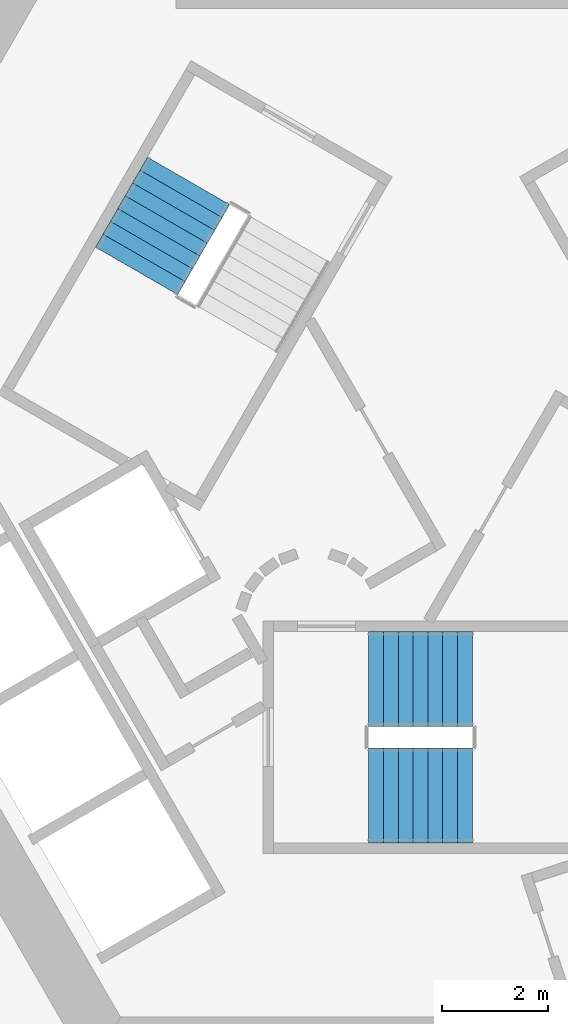
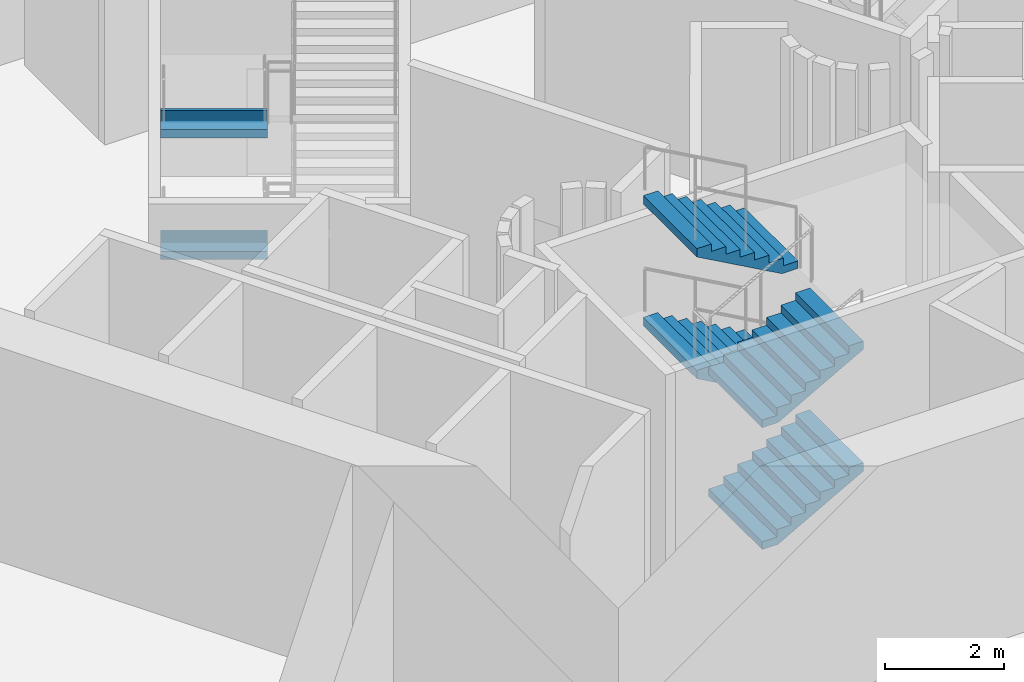
# One storey, part 9 of 15: 6 stair flights, 2 elements without a shape of their own.
"""IFC4 building model written with IfcOpenShell, lengths in metres."""

from ifc_helpers import new_model, si_unit, direction, frame, origin, place, context, subcontext, project, spatial, triangles, material, type_object, element, aggregate, save


model = new_model("IFC4")

# Units and contexts
model_context = context("Model", 3, precision=1e-05, world=origin(), true_north=direction((0.0, 1.0)))
body_context = subcontext(model_context, "Body", "Model", "MODEL_VIEW")
ifc_project = project(units=[si_unit("LENGTHUNIT", "METRE"), si_unit("AREAUNIT", "SQUARE_METRE"), si_unit("VOLUMEUNIT", "CUBIC_METRE"), si_unit("PLANEANGLEUNIT", "RADIAN"), si_unit("MASSUNIT", "GRAM", prefix="KILO")], contexts=[model_context])

# Site, building, storey
site_placement = place(None, origin())
site = spatial("IfcSite", under=ifc_project, at=site_placement, CompositionType="ELEMENT")
building_placement = place(site_placement, origin())
building = spatial("IfcBuilding", under=site, at=building_placement, Name="Entoto Arch Interchange Tower", CompositionType="ELEMENT")
storey_placement = place(building_placement, frame((0.0, 0.0, 30.0)))
storey = spatial("IfcBuildingStorey", under=building, at=storey_placement, Name="L05", CompositionType="ELEMENT", Elevation=30.0)

# Stair, stair flights
ifc_material = material(Name="Concrete C40/50", Category="concrete")
stair_type = type_object("IfcStairType", Name="EXIT STAIR RC 1800", PredefinedType="HALF_TURN_STAIR", material=ifc_material)
stair_1_placement = place(storey_placement, origin())
stair_1 = element("IfcStair", 1, at=stair_1_placement, inside=storey, type_object=stair_type, Name="L05 Exit stair S", PredefinedType="HALF_TURN_STAIR")
stair_flight_type = type_object("IfcStairFlightType", Name="EXIT STAIR FLIGHT RC 1800", PredefinedType="STRAIGHT", material=ifc_material)
stair_flight_1_placement = place(storey_placement, frame((-1.64990234375, -4.300048828125, 0.0), z_axis=(0.0, 0.0, 1.0), x_axis=(1.0, 0.0, 0.0)))
stair_flight_1 = element("IfcStairFlight", 2, at=stair_flight_1_placement, type_object=stair_flight_type, Name="ST-S flight 1", NumberOfRisers=8, NumberOfTreads=7, PredefinedType="STRAIGHT", RiserHeight=0.15625, TreadLength=0.28, context=body_context, shape_type="Tessellation", body=[
    triangles([(-0.003, -0.900024, 0.0), (-0.003, -0.900024, 0.15625), (0.28, -0.900024, 0.15625), (0.28, -0.900024, 0.3125), (0.56, -0.900024, 0.3125), (0.56, -0.900024, 0.46875), (0.84, -0.900024, 0.46875), (0.84, -0.900024, 0.625), (1.12, -0.900024, 0.625), (1.12, -0.900024, 0.78125), (1.4, -0.900024, 0.78125), (1.4, -0.900024, 0.9375), (1.68, -0.900024, 0.9375), (1.68, -0.900024, 1.09375), (1.96, -0.900024, 1.09375), (1.963, -0.900024, 1.09375), (1.963, -0.900024, 0.923761), (0.30762, -0.900024, 0.0), (-0.003, 0.900024, 0.0), (-0.003, 0.900024, 0.15625), (0.28, 0.900024, 0.15625), (0.28, 0.900024, 0.3125), (0.56, 0.900024, 0.3125), (0.56, 0.900024, 0.46875), (0.84, 0.900024, 0.46875), (0.84, 0.900024, 0.625), (1.12, 0.900024, 0.625), (1.12, 0.900024, 0.78125), (1.4, 0.900024, 0.78125), (1.4, 0.900024, 0.9375), (1.68, 0.900024, 0.9375), (1.68, 0.900024, 1.09375), (1.96, 0.900024, 1.09375), (1.963, 0.900024, 1.09375), (1.963, 0.900024, 0.923761), (0.30762, 0.900024, 0.0), (-0.003, -0.450012, 0.0), (-0.003, -0.450012, 0.15625), (-0.003, 0.0, 0.0), (-0.003, 0.0, 0.15625), (-0.003, 0.450012, 0.0), (-0.003, 0.450012, 0.15625), (0.28, -0.450012, 0.15625), (0.28, 0.0, 0.15625), (0.28, 0.450012, 0.15625), (0.28, -0.450012, 0.3125), (0.28, 0.0, 0.3125), (0.28, 0.450012, 0.3125), (0.56, -0.450012, 0.3125), (0.56, 0.0, 0.3125), (0.56, 0.450012, 0.3125), (0.56, -0.450012, 0.46875), (0.56, 0.0, 0.46875), (0.56, 0.450012, 0.46875), (0.84, -0.450012, 0.46875), (0.84, 0.0, 0.46875), (0.84, 0.450012, 0.46875), (0.84, -0.450012, 0.625), (0.84, 0.0, 0.625), (0.84, 0.450012, 0.625), (1.12, -0.450012, 0.625), (1.12, 0.0, 0.625), (1.12, 0.450012, 0.625), (1.12, -0.450012, 0.78125), (1.12, 0.0, 0.78125), (1.12, 0.450012, 0.78125), (1.4, -0.450012, 0.78125), (1.4, 0.0, 0.78125), (1.4, 0.450012, 0.78125), (1.4, -0.450012, 0.9375), (1.4, 0.0, 0.9375), (1.4, 0.450012, 0.9375), (1.68, -0.450012, 0.9375), (1.68, 0.0, 0.9375), (1.68, 0.450012, 0.9375), (1.68, -0.450012, 1.09375), (1.68, 0.0, 1.09375), (1.68, 0.450012, 1.09375), (1.96, -0.450012, 1.09375), (1.96, 0.0, 1.09375), (1.96, 0.450012, 1.09375), (1.963, -0.450012, 1.09375), (1.963, 0.0, 1.09375), (1.963, 0.450012, 1.09375), (1.963, -0.450012, 0.923761), (1.963, 0.0, 0.923761), (1.963, 0.450012, 0.923761), (0.30762, -0.450012, 0.0), (0.30762, 0.0, 0.0), (0.30762, 0.450012, 0.0)], [[1, 18, 17], [17, 16, 15], [17, 15, 14], [17, 14, 13], [17, 13, 12], [17, 12, 11], [11, 10, 9], [17, 11, 9], [9, 8, 7], [17, 9, 7], [7, 6, 5], [17, 7, 5], [5, 4, 3], [17, 5, 3], [1, 17, 3], [3, 2, 1], [19, 35, 36], [35, 33, 34], [35, 32, 33], [35, 31, 32], [35, 30, 31], [35, 29, 30], [29, 27, 28], [35, 27, 29], [27, 25, 26], [35, 25, 27], [25, 23, 24], [35, 23, 25], [23, 21, 22], [35, 21, 23], [19, 21, 35], [21, 19, 20], [1, 2, 38], [1, 38, 37], [37, 38, 40], [37, 40, 39], [39, 40, 42], [39, 42, 41], [41, 42, 20], [41, 20, 19], [2, 3, 43], [2, 43, 38], [38, 43, 44], [38, 44, 40], [40, 44, 45], [40, 45, 42], [42, 45, 21], [42, 21, 20], [3, 4, 46], [3, 46, 43], [43, 46, 47], [43, 47, 44], [44, 47, 48], [44, 48, 45], [45, 48, 22], [45, 22, 21], [4, 5, 49], [4, 49, 46], [46, 49, 50], [46, 50, 47], [47, 50, 51], [47, 51, 48], [48, 51, 23], [48, 23, 22], [5, 6, 52], [5, 52, 49], [49, 52, 53], [49, 53, 50], [50, 53, 54], [50, 54, 51], [51, 54, 24], [51, 24, 23], [6, 7, 55], [6, 55, 52], [52, 55, 56], [52, 56, 53], [53, 56, 57], [53, 57, 54], [54, 57, 25], [54, 25, 24], [7, 8, 58], [7, 58, 55], [55, 58, 59], [55, 59, 56], [56, 59, 60], [56, 60, 57], [57, 60, 26], [57, 26, 25], [8, 9, 61], [8, 61, 58], [58, 61, 62], [58, 62, 59], [59, 62, 63], [59, 63, 60], [60, 63, 27], [60, 27, 26], [9, 10, 64], [9, 64, 61], [61, 64, 65], [61, 65, 62], [62, 65, 66], [62, 66, 63], [63, 66, 28], [63, 28, 27], [10, 11, 67], [10, 67, 64], [64, 67, 68], [64, 68, 65], [65, 68, 69], [65, 69, 66], [66, 69, 29], [66, 29, 28], [11, 12, 70], [11, 70, 67], [67, 70, 71], [67, 71, 68], [68, 71, 72], [68, 72, 69], [69, 72, 30], [69, 30, 29], [12, 13, 73], [12, 73, 70], [70, 73, 74], [70, 74, 71], [71, 74, 75], [71, 75, 72], [72, 75, 31], [72, 31, 30], [13, 14, 76], [13, 76, 73], [73, 76, 77], [73, 77, 74], [74, 77, 78], [74, 78, 75], [75, 78, 32], [75, 32, 31], [14, 15, 79], [14, 79, 76], [76, 79, 80], [76, 80, 77], [77, 80, 81], [77, 81, 78], [78, 81, 33], [78, 33, 32], [15, 16, 82], [15, 82, 79], [79, 82, 83], [79, 83, 80], [80, 83, 84], [80, 84, 81], [81, 84, 34], [81, 34, 33], [16, 17, 85], [16, 85, 82], [82, 85, 86], [82, 86, 83], [83, 86, 87], [83, 87, 84], [84, 87, 35], [84, 35, 34], [17, 18, 88], [17, 88, 85], [85, 88, 89], [85, 89, 86], [86, 89, 90], [86, 90, 87], [87, 90, 36], [87, 36, 35], [18, 1, 37], [18, 37, 88], [88, 37, 39], [88, 39, 89], [89, 39, 41], [89, 41, 90], [90, 41, 19], [90, 19, 36]], closed=True),
])
stair_flight_2_placement = place(storey_placement, frame((0.31005859375, -2.10009765625, 1.25), z_axis=(0.0, 0.0, 1.0), x_axis=(-1.0, 0.0, 0.0)))
stair_flight_2 = element("IfcStairFlight", 3, at=stair_flight_2_placement, type_object=stair_flight_type, Name="ST-S flight 2", NumberOfRisers=8, NumberOfTreads=7, PredefinedType="STRAIGHT", RiserHeight=0.15625, TreadLength=0.28, context=body_context, shape_type="Tessellation", body=[
    triangles([(-0.003, -0.900024, 0.0), (-0.003, -0.900024, 0.15625), (0.28, -0.900024, 0.15625), (0.28, -0.900024, 0.3125), (0.56, -0.900024, 0.3125), (0.56, -0.900024, 0.46875), (0.84, -0.900024, 0.46875), (0.84, -0.900024, 0.625), (1.12, -0.900024, 0.625), (1.12, -0.900024, 0.78125), (1.4, -0.900024, 0.78125), (1.4, -0.900024, 0.9375), (1.68, -0.900024, 0.9375), (1.68, -0.900024, 1.09375), (1.96, -0.900024, 1.09375), (1.963, -0.900024, 1.09375), (1.963, -0.900024, 0.923761), (0.30762, -0.900024, 0.0), (-0.003, 0.900024, 0.0), (-0.003, 0.900024, 0.15625), (0.28, 0.900024, 0.15625), (0.28, 0.900024, 0.3125), (0.56, 0.900024, 0.3125), (0.56, 0.900024, 0.46875), (0.84, 0.900024, 0.46875), (0.84, 0.900024, 0.625), (1.12, 0.900024, 0.625), (1.12, 0.900024, 0.78125), (1.4, 0.900024, 0.78125), (1.4, 0.900024, 0.9375), (1.68, 0.900024, 0.9375), (1.68, 0.900024, 1.09375), (1.96, 0.900024, 1.09375), (1.963, 0.900024, 1.09375), (1.963, 0.900024, 0.923761), (0.30762, 0.900024, 0.0), (-0.003, -0.450012, 0.0), (-0.003, -0.450012, 0.15625), (-0.003, 0.0, 0.0), (-0.003, 0.0, 0.15625), (-0.003, 0.450012, 0.0), (-0.003, 0.450012, 0.15625), (0.28, -0.450012, 0.15625), (0.28, 0.0, 0.15625), (0.28, 0.450012, 0.15625), (0.28, -0.450012, 0.3125), (0.28, 0.0, 0.3125), (0.28, 0.450012, 0.3125), (0.56, -0.450012, 0.3125), (0.56, 0.0, 0.3125), (0.56, 0.450012, 0.3125), (0.56, -0.450012, 0.46875), (0.56, 0.0, 0.46875), (0.56, 0.450012, 0.46875), (0.84, -0.450012, 0.46875), (0.84, 0.0, 0.46875), (0.84, 0.450012, 0.46875), (0.84, -0.450012, 0.625), (0.84, 0.0, 0.625), (0.84, 0.450012, 0.625), (1.12, -0.450012, 0.625), (1.12, 0.0, 0.625), (1.12, 0.450012, 0.625), (1.12, -0.450012, 0.78125), (1.12, 0.0, 0.78125), (1.12, 0.450012, 0.78125), (1.4, -0.450012, 0.78125), (1.4, 0.0, 0.78125), (1.4, 0.450012, 0.78125), (1.4, -0.450012, 0.9375), (1.4, 0.0, 0.9375), (1.4, 0.450012, 0.9375), (1.68, -0.450012, 0.9375), (1.68, 0.0, 0.9375), (1.68, 0.450012, 0.9375), (1.68, -0.450012, 1.09375), (1.68, 0.0, 1.09375), (1.68, 0.450012, 1.09375), (1.96, -0.450012, 1.09375), (1.96, 0.0, 1.09375), (1.96, 0.450012, 1.09375), (1.963, -0.450012, 1.09375), (1.963, 0.0, 1.09375), (1.963, 0.450012, 1.09375), (1.963, -0.450012, 0.923761), (1.963, 0.0, 0.923761), (1.963, 0.450012, 0.923761), (0.30762, -0.450012, 0.0), (0.30762, 0.0, 0.0), (0.30762, 0.450012, 0.0)], [[1, 18, 17], [17, 16, 15], [17, 15, 14], [17, 14, 13], [17, 13, 12], [17, 12, 11], [11, 10, 9], [17, 11, 9], [9, 8, 7], [17, 9, 7], [7, 6, 5], [17, 7, 5], [5, 4, 3], [17, 5, 3], [1, 17, 3], [3, 2, 1], [19, 35, 36], [35, 33, 34], [35, 32, 33], [35, 31, 32], [35, 30, 31], [35, 29, 30], [29, 27, 28], [35, 27, 29], [27, 25, 26], [35, 25, 27], [25, 23, 24], [35, 23, 25], [23, 21, 22], [35, 21, 23], [19, 21, 35], [21, 19, 20], [1, 2, 38], [1, 38, 37], [37, 38, 40], [37, 40, 39], [39, 40, 42], [39, 42, 41], [41, 42, 20], [41, 20, 19], [2, 3, 43], [2, 43, 38], [38, 43, 44], [38, 44, 40], [40, 44, 45], [40, 45, 42], [42, 45, 21], [42, 21, 20], [3, 4, 46], [3, 46, 43], [43, 46, 47], [43, 47, 44], [44, 47, 48], [44, 48, 45], [45, 48, 22], [45, 22, 21], [4, 5, 49], [4, 49, 46], [46, 49, 50], [46, 50, 47], [47, 50, 51], [47, 51, 48], [48, 51, 23], [48, 23, 22], [5, 6, 52], [5, 52, 49], [49, 52, 53], [49, 53, 50], [50, 53, 54], [50, 54, 51], [51, 54, 24], [51, 24, 23], [6, 7, 55], [6, 55, 52], [52, 55, 56], [52, 56, 53], [53, 56, 57], [53, 57, 54], [54, 57, 25], [54, 25, 24], [7, 8, 58], [7, 58, 55], [55, 58, 59], [55, 59, 56], [56, 59, 60], [56, 60, 57], [57, 60, 26], [57, 26, 25], [8, 9, 61], [8, 61, 58], [58, 61, 62], [58, 62, 59], [59, 62, 63], [59, 63, 60], [60, 63, 27], [60, 27, 26], [9, 10, 64], [9, 64, 61], [61, 64, 65], [61, 65, 62], [62, 65, 66], [62, 66, 63], [63, 66, 28], [63, 28, 27], [10, 11, 67], [10, 67, 64], [64, 67, 68], [64, 68, 65], [65, 68, 69], [65, 69, 66], [66, 69, 29], [66, 29, 28], [11, 12, 70], [11, 70, 67], [67, 70, 71], [67, 71, 68], [68, 71, 72], [68, 72, 69], [69, 72, 30], [69, 30, 29], [12, 13, 73], [12, 73, 70], [70, 73, 74], [70, 74, 71], [71, 74, 75], [71, 75, 72], [72, 75, 31], [72, 31, 30], [13, 14, 76], [13, 76, 73], [73, 76, 77], [73, 77, 74], [74, 77, 78], [74, 78, 75], [75, 78, 32], [75, 32, 31], [14, 15, 79], [14, 79, 76], [76, 79, 80], [76, 80, 77], [77, 80, 81], [77, 81, 78], [78, 81, 33], [78, 33, 32], [15, 16, 82], [15, 82, 79], [79, 82, 83], [79, 83, 80], [80, 83, 84], [80, 84, 81], [81, 84, 34], [81, 34, 33], [16, 17, 85], [16, 85, 82], [82, 85, 86], [82, 86, 83], [83, 86, 87], [83, 87, 84], [84, 87, 35], [84, 35, 34], [17, 18, 88], [17, 88, 85], [85, 88, 89], [85, 89, 86], [86, 89, 90], [86, 90, 87], [87, 90, 36], [87, 36, 35], [18, 1, 37], [18, 37, 88], [88, 37, 39], [88, 39, 89], [89, 39, 41], [89, 41, 90], [90, 41, 19], [90, 19, 36]], closed=True),
])
stair_flight_3_placement = place(storey_placement, frame((-1.64990234375, -4.300048828125, 2.5), z_axis=(0.0, 0.0, 1.0), x_axis=(1.0, 0.0, 0.0)))
stair_flight_3 = element("IfcStairFlight", 4, at=stair_flight_3_placement, type_object=stair_flight_type, Name="ST-S flight 3", NumberOfRisers=8, NumberOfTreads=7, PredefinedType="STRAIGHT", RiserHeight=0.15625, TreadLength=0.28, context=body_context, shape_type="Tessellation", body=[
    triangles([(-0.003, -0.900024, 0.0), (-0.003, -0.900024, 0.15625), (0.28, -0.900024, 0.15625), (0.28, -0.900024, 0.3125), (0.56, -0.900024, 0.3125), (0.56, -0.900024, 0.46875), (0.84, -0.900024, 0.46875), (0.84, -0.900024, 0.625), (1.12, -0.900024, 0.625), (1.12, -0.900024, 0.78125), (1.4, -0.900024, 0.78125), (1.4, -0.900024, 0.9375), (1.68, -0.900024, 0.9375), (1.68, -0.900024, 1.09375), (1.96, -0.900024, 1.09375), (1.963, -0.900024, 1.09375), (1.963, -0.900024, 0.923761), (0.30762, -0.900024, 0.0), (-0.003, 0.900024, 0.0), (-0.003, 0.900024, 0.15625), (0.28, 0.900024, 0.15625), (0.28, 0.900024, 0.3125), (0.56, 0.900024, 0.3125), (0.56, 0.900024, 0.46875), (0.84, 0.900024, 0.46875), (0.84, 0.900024, 0.625), (1.12, 0.900024, 0.625), (1.12, 0.900024, 0.78125), (1.4, 0.900024, 0.78125), (1.4, 0.900024, 0.9375), (1.68, 0.900024, 0.9375), (1.68, 0.900024, 1.09375), (1.96, 0.900024, 1.09375), (1.963, 0.900024, 1.09375), (1.963, 0.900024, 0.923761), (0.30762, 0.900024, 0.0), (-0.003, -0.450012, 0.0), (-0.003, -0.450012, 0.15625), (-0.003, 0.0, 0.0), (-0.003, 0.0, 0.15625), (-0.003, 0.450012, 0.0), (-0.003, 0.450012, 0.15625), (0.28, -0.450012, 0.15625), (0.28, 0.0, 0.15625), (0.28, 0.450012, 0.15625), (0.28, -0.450012, 0.3125), (0.28, 0.0, 0.3125), (0.28, 0.450012, 0.3125), (0.56, -0.450012, 0.3125), (0.56, 0.0, 0.3125), (0.56, 0.450012, 0.3125), (0.56, -0.450012, 0.46875), (0.56, 0.0, 0.46875), (0.56, 0.450012, 0.46875), (0.84, -0.450012, 0.46875), (0.84, 0.0, 0.46875), (0.84, 0.450012, 0.46875), (0.84, -0.450012, 0.625), (0.84, 0.0, 0.625), (0.84, 0.450012, 0.625), (1.12, -0.450012, 0.625), (1.12, 0.0, 0.625), (1.12, 0.450012, 0.625), (1.12, -0.450012, 0.78125), (1.12, 0.0, 0.78125), (1.12, 0.450012, 0.78125), (1.4, -0.450012, 0.78125), (1.4, 0.0, 0.78125), (1.4, 0.450012, 0.78125), (1.4, -0.450012, 0.9375), (1.4, 0.0, 0.9375), (1.4, 0.450012, 0.9375), (1.68, -0.450012, 0.9375), (1.68, 0.0, 0.9375), (1.68, 0.450012, 0.9375), (1.68, -0.450012, 1.09375), (1.68, 0.0, 1.09375), (1.68, 0.450012, 1.09375), (1.96, -0.450012, 1.09375), (1.96, 0.0, 1.09375), (1.96, 0.450012, 1.09375), (1.963, -0.450012, 1.09375), (1.963, 0.0, 1.09375), (1.963, 0.450012, 1.09375), (1.963, -0.450012, 0.923761), (1.963, 0.0, 0.923761), (1.963, 0.450012, 0.923761), (0.30762, -0.450012, 0.0), (0.30762, 0.0, 0.0), (0.30762, 0.450012, 0.0)], [[1, 18, 17], [17, 16, 15], [17, 15, 14], [17, 14, 13], [17, 13, 12], [17, 12, 11], [11, 10, 9], [17, 11, 9], [9, 8, 7], [17, 9, 7], [7, 6, 5], [17, 7, 5], [5, 4, 3], [17, 5, 3], [1, 17, 3], [3, 2, 1], [19, 35, 36], [35, 33, 34], [35, 32, 33], [35, 31, 32], [35, 30, 31], [35, 29, 30], [29, 27, 28], [35, 27, 29], [27, 25, 26], [35, 25, 27], [25, 23, 24], [35, 23, 25], [23, 21, 22], [35, 21, 23], [19, 21, 35], [21, 19, 20], [1, 2, 38], [1, 38, 37], [37, 38, 40], [37, 40, 39], [39, 40, 42], [39, 42, 41], [41, 42, 20], [41, 20, 19], [2, 3, 43], [2, 43, 38], [38, 43, 44], [38, 44, 40], [40, 44, 45], [40, 45, 42], [42, 45, 21], [42, 21, 20], [3, 4, 46], [3, 46, 43], [43, 46, 47], [43, 47, 44], [44, 47, 48], [44, 48, 45], [45, 48, 22], [45, 22, 21], [4, 5, 49], [4, 49, 46], [46, 49, 50], [46, 50, 47], [47, 50, 51], [47, 51, 48], [48, 51, 23], [48, 23, 22], [5, 6, 52], [5, 52, 49], [49, 52, 53], [49, 53, 50], [50, 53, 54], [50, 54, 51], [51, 54, 24], [51, 24, 23], [6, 7, 55], [6, 55, 52], [52, 55, 56], [52, 56, 53], [53, 56, 57], [53, 57, 54], [54, 57, 25], [54, 25, 24], [7, 8, 58], [7, 58, 55], [55, 58, 59], [55, 59, 56], [56, 59, 60], [56, 60, 57], [57, 60, 26], [57, 26, 25], [8, 9, 61], [8, 61, 58], [58, 61, 62], [58, 62, 59], [59, 62, 63], [59, 63, 60], [60, 63, 27], [60, 27, 26], [9, 10, 64], [9, 64, 61], [61, 64, 65], [61, 65, 62], [62, 65, 66], [62, 66, 63], [63, 66, 28], [63, 28, 27], [10, 11, 67], [10, 67, 64], [64, 67, 68], [64, 68, 65], [65, 68, 69], [65, 69, 66], [66, 69, 29], [66, 29, 28], [11, 12, 70], [11, 70, 67], [67, 70, 71], [67, 71, 68], [68, 71, 72], [68, 72, 69], [69, 72, 30], [69, 30, 29], [12, 13, 73], [12, 73, 70], [70, 73, 74], [70, 74, 71], [71, 74, 75], [71, 75, 72], [72, 75, 31], [72, 31, 30], [13, 14, 76], [13, 76, 73], [73, 76, 77], [73, 77, 74], [74, 77, 78], [74, 78, 75], [75, 78, 32], [75, 32, 31], [14, 15, 79], [14, 79, 76], [76, 79, 80], [76, 80, 77], [77, 80, 81], [77, 81, 78], [78, 81, 33], [78, 33, 32], [15, 16, 82], [15, 82, 79], [79, 82, 83], [79, 83, 80], [80, 83, 84], [80, 84, 81], [81, 84, 34], [81, 34, 33], [16, 17, 85], [16, 85, 82], [82, 85, 86], [82, 86, 83], [83, 86, 87], [83, 87, 84], [84, 87, 35], [84, 35, 34], [17, 18, 88], [17, 88, 85], [85, 88, 89], [85, 89, 86], [86, 89, 90], [86, 90, 87], [87, 90, 36], [87, 36, 35], [18, 1, 37], [18, 37, 88], [88, 37, 39], [88, 39, 89], [89, 39, 41], [89, 41, 90], [90, 41, 19], [90, 19, 36]], closed=True),
])
stair_flight_4_placement = place(storey_placement, frame((0.31005859375, -2.10009765625, 3.75), z_axis=(0.0, 0.0, 1.0), x_axis=(-1.0, 0.0, 0.0)))
stair_flight_4 = element("IfcStairFlight", 5, at=stair_flight_4_placement, type_object=stair_flight_type, Name="ST-S flight 4", NumberOfRisers=8, NumberOfTreads=7, PredefinedType="STRAIGHT", RiserHeight=0.15625, TreadLength=0.28, context=body_context, shape_type="Tessellation", body=[
    triangles([(-0.003, -0.900024, 0.0), (-0.003, -0.900024, 0.15625), (0.28, -0.900024, 0.15625), (0.28, -0.900024, 0.3125), (0.56, -0.900024, 0.3125), (0.56, -0.900024, 0.46875), (0.84, -0.900024, 0.46875), (0.84, -0.900024, 0.625), (1.12, -0.900024, 0.625), (1.12, -0.900024, 0.78125), (1.4, -0.900024, 0.78125), (1.4, -0.900024, 0.9375), (1.68, -0.900024, 0.9375), (1.68, -0.900024, 1.09375), (1.96, -0.900024, 1.09375), (1.963, -0.900024, 1.09375), (1.963, -0.900024, 0.923761), (0.30762, -0.900024, 0.0), (-0.003, 0.900024, 0.0), (-0.003, 0.900024, 0.15625), (0.28, 0.900024, 0.15625), (0.28, 0.900024, 0.3125), (0.56, 0.900024, 0.3125), (0.56, 0.900024, 0.46875), (0.84, 0.900024, 0.46875), (0.84, 0.900024, 0.625), (1.12, 0.900024, 0.625), (1.12, 0.900024, 0.78125), (1.4, 0.900024, 0.78125), (1.4, 0.900024, 0.9375), (1.68, 0.900024, 0.9375), (1.68, 0.900024, 1.09375), (1.96, 0.900024, 1.09375), (1.963, 0.900024, 1.09375), (1.963, 0.900024, 0.923761), (0.30762, 0.900024, 0.0), (-0.003, -0.450012, 0.0), (-0.003, -0.450012, 0.15625), (-0.003, 0.0, 0.0), (-0.003, 0.0, 0.15625), (-0.003, 0.450012, 0.0), (-0.003, 0.450012, 0.15625), (0.28, -0.450012, 0.15625), (0.28, 0.0, 0.15625), (0.28, 0.450012, 0.15625), (0.28, -0.450012, 0.3125), (0.28, 0.0, 0.3125), (0.28, 0.450012, 0.3125), (0.56, -0.450012, 0.3125), (0.56, 0.0, 0.3125), (0.56, 0.450012, 0.3125), (0.56, -0.450012, 0.46875), (0.56, 0.0, 0.46875), (0.56, 0.450012, 0.46875), (0.84, -0.450012, 0.46875), (0.84, 0.0, 0.46875), (0.84, 0.450012, 0.46875), (0.84, -0.450012, 0.625), (0.84, 0.0, 0.625), (0.84, 0.450012, 0.625), (1.12, -0.450012, 0.625), (1.12, 0.0, 0.625), (1.12, 0.450012, 0.625), (1.12, -0.450012, 0.78125), (1.12, 0.0, 0.78125), (1.12, 0.450012, 0.78125), (1.4, -0.450012, 0.78125), (1.4, 0.0, 0.78125), (1.4, 0.450012, 0.78125), (1.4, -0.450012, 0.9375), (1.4, 0.0, 0.9375), (1.4, 0.450012, 0.9375), (1.68, -0.450012, 0.9375), (1.68, 0.0, 0.9375), (1.68, 0.450012, 0.9375), (1.68, -0.450012, 1.09375), (1.68, 0.0, 1.09375), (1.68, 0.450012, 1.09375), (1.96, -0.450012, 1.09375), (1.96, 0.0, 1.09375), (1.96, 0.450012, 1.09375), (1.963, -0.450012, 1.09375), (1.963, 0.0, 1.09375), (1.963, 0.450012, 1.09375), (1.963, -0.450012, 0.923761), (1.963, 0.0, 0.923761), (1.963, 0.450012, 0.923761), (0.30762, -0.450012, 0.0), (0.30762, 0.0, 0.0), (0.30762, 0.450012, 0.0)], [[1, 18, 17], [17, 16, 15], [17, 15, 14], [17, 14, 13], [17, 13, 12], [17, 12, 11], [11, 10, 9], [17, 11, 9], [9, 8, 7], [17, 9, 7], [7, 6, 5], [17, 7, 5], [5, 4, 3], [17, 5, 3], [1, 17, 3], [3, 2, 1], [19, 35, 36], [35, 33, 34], [35, 32, 33], [35, 31, 32], [35, 30, 31], [35, 29, 30], [29, 27, 28], [35, 27, 29], [27, 25, 26], [35, 25, 27], [25, 23, 24], [35, 23, 25], [23, 21, 22], [35, 21, 23], [19, 21, 35], [21, 19, 20], [1, 2, 38], [1, 38, 37], [37, 38, 40], [37, 40, 39], [39, 40, 42], [39, 42, 41], [41, 42, 20], [41, 20, 19], [2, 3, 43], [2, 43, 38], [38, 43, 44], [38, 44, 40], [40, 44, 45], [40, 45, 42], [42, 45, 21], [42, 21, 20], [3, 4, 46], [3, 46, 43], [43, 46, 47], [43, 47, 44], [44, 47, 48], [44, 48, 45], [45, 48, 22], [45, 22, 21], [4, 5, 49], [4, 49, 46], [46, 49, 50], [46, 50, 47], [47, 50, 51], [47, 51, 48], [48, 51, 23], [48, 23, 22], [5, 6, 52], [5, 52, 49], [49, 52, 53], [49, 53, 50], [50, 53, 54], [50, 54, 51], [51, 54, 24], [51, 24, 23], [6, 7, 55], [6, 55, 52], [52, 55, 56], [52, 56, 53], [53, 56, 57], [53, 57, 54], [54, 57, 25], [54, 25, 24], [7, 8, 58], [7, 58, 55], [55, 58, 59], [55, 59, 56], [56, 59, 60], [56, 60, 57], [57, 60, 26], [57, 26, 25], [8, 9, 61], [8, 61, 58], [58, 61, 62], [58, 62, 59], [59, 62, 63], [59, 63, 60], [60, 63, 27], [60, 27, 26], [9, 10, 64], [9, 64, 61], [61, 64, 65], [61, 65, 62], [62, 65, 66], [62, 66, 63], [63, 66, 28], [63, 28, 27], [10, 11, 67], [10, 67, 64], [64, 67, 68], [64, 68, 65], [65, 68, 69], [65, 69, 66], [66, 69, 29], [66, 29, 28], [11, 12, 70], [11, 70, 67], [67, 70, 71], [67, 71, 68], [68, 71, 72], [68, 72, 69], [69, 72, 30], [69, 30, 29], [12, 13, 73], [12, 73, 70], [70, 73, 74], [70, 74, 71], [71, 74, 75], [71, 75, 72], [72, 75, 31], [72, 31, 30], [13, 14, 76], [13, 76, 73], [73, 76, 77], [73, 77, 74], [74, 77, 78], [74, 78, 75], [75, 78, 32], [75, 32, 31], [14, 15, 79], [14, 79, 76], [76, 79, 80], [76, 80, 77], [77, 80, 81], [77, 81, 78], [78, 81, 33], [78, 33, 32], [15, 16, 82], [15, 82, 79], [79, 82, 83], [79, 83, 80], [80, 83, 84], [80, 84, 81], [81, 84, 34], [81, 34, 33], [16, 17, 85], [16, 85, 82], [82, 85, 86], [82, 86, 83], [83, 86, 87], [83, 87, 84], [84, 87, 35], [84, 35, 34], [17, 18, 88], [17, 88, 85], [85, 88, 89], [85, 89, 86], [86, 89, 90], [86, 90, 87], [87, 90, 36], [87, 36, 35], [18, 1, 37], [18, 37, 88], [88, 37, 39], [88, 39, 89], [89, 39, 41], [89, 41, 90], [90, 41, 19], [90, 19, 36]], closed=True),
])
aggregate(stair_1, [stair_flight_1, stair_flight_2, stair_flight_3, stair_flight_4])

stair_2_placement = place(storey_placement, origin())
stair_2 = element("IfcStair", 6, at=stair_2_placement, inside=storey, type_object=stair_type, Name="L05 Exit stair NW", PredefinedType="HALF_TURN_STAIR")
stair_flight_5_placement = place(storey_placement, frame((-5.06396484375, 7.328857421875, 0.0), z_axis=(0.0, 0.0, 1.0), x_axis=(-0.5, -0.866025403784, 0.0)))
stair_flight_5 = element("IfcStairFlight", 7, at=stair_flight_5_placement, type_object=stair_flight_type, Name="ST-NW flight 1", NumberOfRisers=8, NumberOfTreads=7, PredefinedType="STRAIGHT", RiserHeight=0.15625, TreadLength=0.28, context=body_context, shape_type="Tessellation", body=[
    triangles([(-0.003, -0.900024, 0.0), (-0.003, -0.900024, 0.15625), (0.28, -0.900024, 0.15625), (0.28, -0.900024, 0.3125), (0.56, -0.900024, 0.3125), (0.56, -0.900024, 0.46875), (0.84, -0.900024, 0.46875), (0.84, -0.900024, 0.625), (1.12, -0.900024, 0.625), (1.12, -0.900024, 0.78125), (1.4, -0.900024, 0.78125), (1.4, -0.900024, 0.9375), (1.68, -0.900024, 0.9375), (1.68, -0.900024, 1.09375), (1.96, -0.900024, 1.09375), (1.963, -0.900024, 1.09375), (1.963, -0.900024, 0.923761), (0.30762, -0.900024, 0.0), (-0.003, 0.900024, 0.0), (-0.003, 0.900024, 0.15625), (0.28, 0.900024, 0.15625), (0.28, 0.900024, 0.3125), (0.56, 0.900024, 0.3125), (0.56, 0.900024, 0.46875), (0.84, 0.900024, 0.46875), (0.84, 0.900024, 0.625), (1.12, 0.900024, 0.625), (1.12, 0.900024, 0.78125), (1.4, 0.900024, 0.78125), (1.4, 0.900024, 0.9375), (1.68, 0.900024, 0.9375), (1.68, 0.900024, 1.09375), (1.96, 0.900024, 1.09375), (1.963, 0.900024, 1.09375), (1.963, 0.900024, 0.923761), (0.30762, 0.900024, 0.0), (-0.003, -0.450012, 0.0), (-0.003, -0.450012, 0.15625), (-0.003, 0.0, 0.0), (-0.003, 0.0, 0.15625), (-0.003, 0.450012, 0.0), (-0.003, 0.450012, 0.15625), (0.28, -0.450012, 0.15625), (0.28, 0.0, 0.15625), (0.28, 0.450012, 0.15625), (0.28, -0.450012, 0.3125), (0.28, 0.0, 0.3125), (0.28, 0.450012, 0.3125), (0.56, -0.450012, 0.3125), (0.56, 0.0, 0.3125), (0.56, 0.450012, 0.3125), (0.56, -0.450012, 0.46875), (0.56, 0.0, 0.46875), (0.56, 0.450012, 0.46875), (0.84, -0.450012, 0.46875), (0.84, 0.0, 0.46875), (0.84, 0.450012, 0.46875), (0.84, -0.450012, 0.625), (0.84, 0.0, 0.625), (0.84, 0.450012, 0.625), (1.12, -0.450012, 0.625), (1.12, 0.0, 0.625), (1.12, 0.450012, 0.625), (1.12, -0.450012, 0.78125), (1.12, 0.0, 0.78125), (1.12, 0.450012, 0.78125), (1.4, -0.450012, 0.78125), (1.4, 0.0, 0.78125), (1.4, 0.450012, 0.78125), (1.4, -0.450012, 0.9375), (1.4, 0.0, 0.9375), (1.4, 0.450012, 0.9375), (1.68, -0.450012, 0.9375), (1.68, 0.0, 0.9375), (1.68, 0.450012, 0.9375), (1.68, -0.450012, 1.09375), (1.68, 0.0, 1.09375), (1.68, 0.450012, 1.09375), (1.96, -0.450012, 1.09375), (1.96, 0.0, 1.09375), (1.96, 0.450012, 1.09375), (1.963, -0.450012, 1.09375), (1.963, 0.0, 1.09375), (1.963, 0.450012, 1.09375), (1.963, -0.450012, 0.923761), (1.963, 0.0, 0.923761), (1.963, 0.450012, 0.923761), (0.30762, -0.450012, 0.0), (0.30762, 0.0, 0.0), (0.30762, 0.450012, 0.0)], [[1, 18, 17], [17, 16, 15], [17, 15, 14], [17, 14, 13], [17, 13, 12], [17, 12, 11], [11, 10, 9], [17, 11, 9], [9, 8, 7], [17, 9, 7], [7, 6, 5], [17, 7, 5], [5, 4, 3], [17, 5, 3], [1, 17, 3], [3, 2, 1], [19, 35, 36], [35, 33, 34], [35, 32, 33], [35, 31, 32], [35, 30, 31], [35, 29, 30], [29, 27, 28], [35, 27, 29], [27, 25, 26], [35, 25, 27], [25, 23, 24], [35, 23, 25], [23, 21, 22], [35, 21, 23], [19, 21, 35], [21, 19, 20], [1, 2, 38], [1, 38, 37], [37, 38, 40], [37, 40, 39], [39, 40, 42], [39, 42, 41], [41, 42, 20], [41, 20, 19], [2, 3, 43], [2, 43, 38], [38, 43, 44], [38, 44, 40], [40, 44, 45], [40, 45, 42], [42, 45, 21], [42, 21, 20], [3, 4, 46], [3, 46, 43], [43, 46, 47], [43, 47, 44], [44, 47, 48], [44, 48, 45], [45, 48, 22], [45, 22, 21], [4, 5, 49], [4, 49, 46], [46, 49, 50], [46, 50, 47], [47, 50, 51], [47, 51, 48], [48, 51, 23], [48, 23, 22], [5, 6, 52], [5, 52, 49], [49, 52, 53], [49, 53, 50], [50, 53, 54], [50, 54, 51], [51, 54, 24], [51, 24, 23], [6, 7, 55], [6, 55, 52], [52, 55, 56], [52, 56, 53], [53, 56, 57], [53, 57, 54], [54, 57, 25], [54, 25, 24], [7, 8, 58], [7, 58, 55], [55, 58, 59], [55, 59, 56], [56, 59, 60], [56, 60, 57], [57, 60, 26], [57, 26, 25], [8, 9, 61], [8, 61, 58], [58, 61, 62], [58, 62, 59], [59, 62, 63], [59, 63, 60], [60, 63, 27], [60, 27, 26], [9, 10, 64], [9, 64, 61], [61, 64, 65], [61, 65, 62], [62, 65, 66], [62, 66, 63], [63, 66, 28], [63, 28, 27], [10, 11, 67], [10, 67, 64], [64, 67, 68], [64, 68, 65], [65, 68, 69], [65, 69, 66], [66, 69, 29], [66, 29, 28], [11, 12, 70], [11, 70, 67], [67, 70, 71], [67, 71, 68], [68, 71, 72], [68, 72, 69], [69, 72, 30], [69, 30, 29], [12, 13, 73], [12, 73, 70], [70, 73, 74], [70, 74, 71], [71, 74, 75], [71, 75, 72], [72, 75, 31], [72, 31, 30], [13, 14, 76], [13, 76, 73], [73, 76, 77], [73, 77, 74], [74, 77, 78], [74, 78, 75], [75, 78, 32], [75, 32, 31], [14, 15, 79], [14, 79, 76], [76, 79, 80], [76, 80, 77], [77, 80, 81], [77, 81, 78], [78, 81, 33], [78, 33, 32], [15, 16, 82], [15, 82, 79], [79, 82, 83], [79, 83, 80], [80, 83, 84], [80, 84, 81], [81, 84, 34], [81, 34, 33], [16, 17, 85], [16, 85, 82], [82, 85, 86], [82, 86, 83], [83, 86, 87], [83, 87, 84], [84, 87, 35], [84, 35, 34], [17, 18, 88], [17, 88, 85], [85, 88, 89], [85, 89, 86], [86, 89, 90], [86, 90, 87], [87, 90, 36], [87, 36, 35], [18, 1, 37], [18, 37, 88], [88, 37, 39], [88, 39, 89], [89, 39, 41], [89, 41, 90], [90, 41, 19], [90, 19, 36]], closed=True),
])
stair_flight_6_placement = place(storey_placement, frame((-5.06396484375, 7.328857421875, 2.5), z_axis=(0.0, 0.0, 1.0), x_axis=(-0.5, -0.866025403784, 0.0)))
stair_flight_6 = element("IfcStairFlight", 8, at=stair_flight_6_placement, type_object=stair_flight_type, Name="ST-NW flight 3", NumberOfRisers=8, NumberOfTreads=7, PredefinedType="STRAIGHT", RiserHeight=0.15625, TreadLength=0.28, context=body_context, shape_type="Tessellation", body=[
    triangles([(-0.003, -0.900024, 0.0), (-0.003, -0.900024, 0.15625), (0.28, -0.900024, 0.15625), (0.28, -0.900024, 0.3125), (0.56, -0.900024, 0.3125), (0.56, -0.900024, 0.46875), (0.84, -0.900024, 0.46875), (0.84, -0.900024, 0.625), (1.12, -0.900024, 0.625), (1.12, -0.900024, 0.78125), (1.4, -0.900024, 0.78125), (1.4, -0.900024, 0.9375), (1.68, -0.900024, 0.9375), (1.68, -0.900024, 1.09375), (1.96, -0.900024, 1.09375), (1.963, -0.900024, 1.09375), (1.963, -0.900024, 0.923761), (0.30762, -0.900024, 0.0), (-0.003, 0.900024, 0.0), (-0.003, 0.900024, 0.15625), (0.28, 0.900024, 0.15625), (0.28, 0.900024, 0.3125), (0.56, 0.900024, 0.3125), (0.56, 0.900024, 0.46875), (0.84, 0.900024, 0.46875), (0.84, 0.900024, 0.625), (1.12, 0.900024, 0.625), (1.12, 0.900024, 0.78125), (1.4, 0.900024, 0.78125), (1.4, 0.900024, 0.9375), (1.68, 0.900024, 0.9375), (1.68, 0.900024, 1.09375), (1.96, 0.900024, 1.09375), (1.963, 0.900024, 1.09375), (1.963, 0.900024, 0.923761), (0.30762, 0.900024, 0.0), (-0.003, -0.450012, 0.0), (-0.003, -0.450012, 0.15625), (-0.003, 0.0, 0.0), (-0.003, 0.0, 0.15625), (-0.003, 0.450012, 0.0), (-0.003, 0.450012, 0.15625), (0.28, -0.450012, 0.15625), (0.28, 0.0, 0.15625), (0.28, 0.450012, 0.15625), (0.28, -0.450012, 0.3125), (0.28, 0.0, 0.3125), (0.28, 0.450012, 0.3125), (0.56, -0.450012, 0.3125), (0.56, 0.0, 0.3125), (0.56, 0.450012, 0.3125), (0.56, -0.450012, 0.46875), (0.56, 0.0, 0.46875), (0.56, 0.450012, 0.46875), (0.84, -0.450012, 0.46875), (0.84, 0.0, 0.46875), (0.84, 0.450012, 0.46875), (0.84, -0.450012, 0.625), (0.84, 0.0, 0.625), (0.84, 0.450012, 0.625), (1.12, -0.450012, 0.625), (1.12, 0.0, 0.625), (1.12, 0.450012, 0.625), (1.12, -0.450012, 0.78125), (1.12, 0.0, 0.78125), (1.12, 0.450012, 0.78125), (1.4, -0.450012, 0.78125), (1.4, 0.0, 0.78125), (1.4, 0.450012, 0.78125), (1.4, -0.450012, 0.9375), (1.4, 0.0, 0.9375), (1.4, 0.450012, 0.9375), (1.68, -0.450012, 0.9375), (1.68, 0.0, 0.9375), (1.68, 0.450012, 0.9375), (1.68, -0.450012, 1.09375), (1.68, 0.0, 1.09375), (1.68, 0.450012, 1.09375), (1.96, -0.450012, 1.09375), (1.96, 0.0, 1.09375), (1.96, 0.450012, 1.09375), (1.963, -0.450012, 1.09375), (1.963, 0.0, 1.09375), (1.963, 0.450012, 1.09375), (1.963, -0.450012, 0.923761), (1.963, 0.0, 0.923761), (1.963, 0.450012, 0.923761), (0.30762, -0.450012, 0.0), (0.30762, 0.0, 0.0), (0.30762, 0.450012, 0.0)], [[1, 18, 17], [17, 16, 15], [17, 15, 14], [17, 14, 13], [17, 13, 12], [17, 12, 11], [11, 10, 9], [17, 11, 9], [9, 8, 7], [17, 9, 7], [7, 6, 5], [17, 7, 5], [5, 4, 3], [17, 5, 3], [1, 17, 3], [3, 2, 1], [19, 35, 36], [35, 33, 34], [35, 32, 33], [35, 31, 32], [35, 30, 31], [35, 29, 30], [29, 27, 28], [35, 27, 29], [27, 25, 26], [35, 25, 27], [25, 23, 24], [35, 23, 25], [23, 21, 22], [35, 21, 23], [19, 21, 35], [21, 19, 20], [1, 2, 38], [1, 38, 37], [37, 38, 40], [37, 40, 39], [39, 40, 42], [39, 42, 41], [41, 42, 20], [41, 20, 19], [2, 3, 43], [2, 43, 38], [38, 43, 44], [38, 44, 40], [40, 44, 45], [40, 45, 42], [42, 45, 21], [42, 21, 20], [3, 4, 46], [3, 46, 43], [43, 46, 47], [43, 47, 44], [44, 47, 48], [44, 48, 45], [45, 48, 22], [45, 22, 21], [4, 5, 49], [4, 49, 46], [46, 49, 50], [46, 50, 47], [47, 50, 51], [47, 51, 48], [48, 51, 23], [48, 23, 22], [5, 6, 52], [5, 52, 49], [49, 52, 53], [49, 53, 50], [50, 53, 54], [50, 54, 51], [51, 54, 24], [51, 24, 23], [6, 7, 55], [6, 55, 52], [52, 55, 56], [52, 56, 53], [53, 56, 57], [53, 57, 54], [54, 57, 25], [54, 25, 24], [7, 8, 58], [7, 58, 55], [55, 58, 59], [55, 59, 56], [56, 59, 60], [56, 60, 57], [57, 60, 26], [57, 26, 25], [8, 9, 61], [8, 61, 58], [58, 61, 62], [58, 62, 59], [59, 62, 63], [59, 63, 60], [60, 63, 27], [60, 27, 26], [9, 10, 64], [9, 64, 61], [61, 64, 65], [61, 65, 62], [62, 65, 66], [62, 66, 63], [63, 66, 28], [63, 28, 27], [10, 11, 67], [10, 67, 64], [64, 67, 68], [64, 68, 65], [65, 68, 69], [65, 69, 66], [66, 69, 29], [66, 29, 28], [11, 12, 70], [11, 70, 67], [67, 70, 71], [67, 71, 68], [68, 71, 72], [68, 72, 69], [69, 72, 30], [69, 30, 29], [12, 13, 73], [12, 73, 70], [70, 73, 74], [70, 74, 71], [71, 74, 75], [71, 75, 72], [72, 75, 31], [72, 31, 30], [13, 14, 76], [13, 76, 73], [73, 76, 77], [73, 77, 74], [74, 77, 78], [74, 78, 75], [75, 78, 32], [75, 32, 31], [14, 15, 79], [14, 79, 76], [76, 79, 80], [76, 80, 77], [77, 80, 81], [77, 81, 78], [78, 81, 33], [78, 33, 32], [15, 16, 82], [15, 82, 79], [79, 82, 83], [79, 83, 80], [80, 83, 84], [80, 84, 81], [81, 84, 34], [81, 34, 33], [16, 17, 85], [16, 85, 82], [82, 85, 86], [82, 86, 83], [83, 86, 87], [83, 87, 84], [84, 87, 35], [84, 35, 34], [17, 18, 88], [17, 88, 85], [85, 88, 89], [85, 89, 86], [86, 89, 90], [86, 90, 87], [87, 90, 36], [87, 36, 35], [18, 1, 37], [18, 37, 88], [88, 37, 39], [88, 39, 89], [89, 39, 41], [89, 41, 90], [90, 41, 19], [90, 19, 36]], closed=True),
])
aggregate(stair_2, [stair_flight_5, stair_flight_6])

save(model, "model.ifc")
